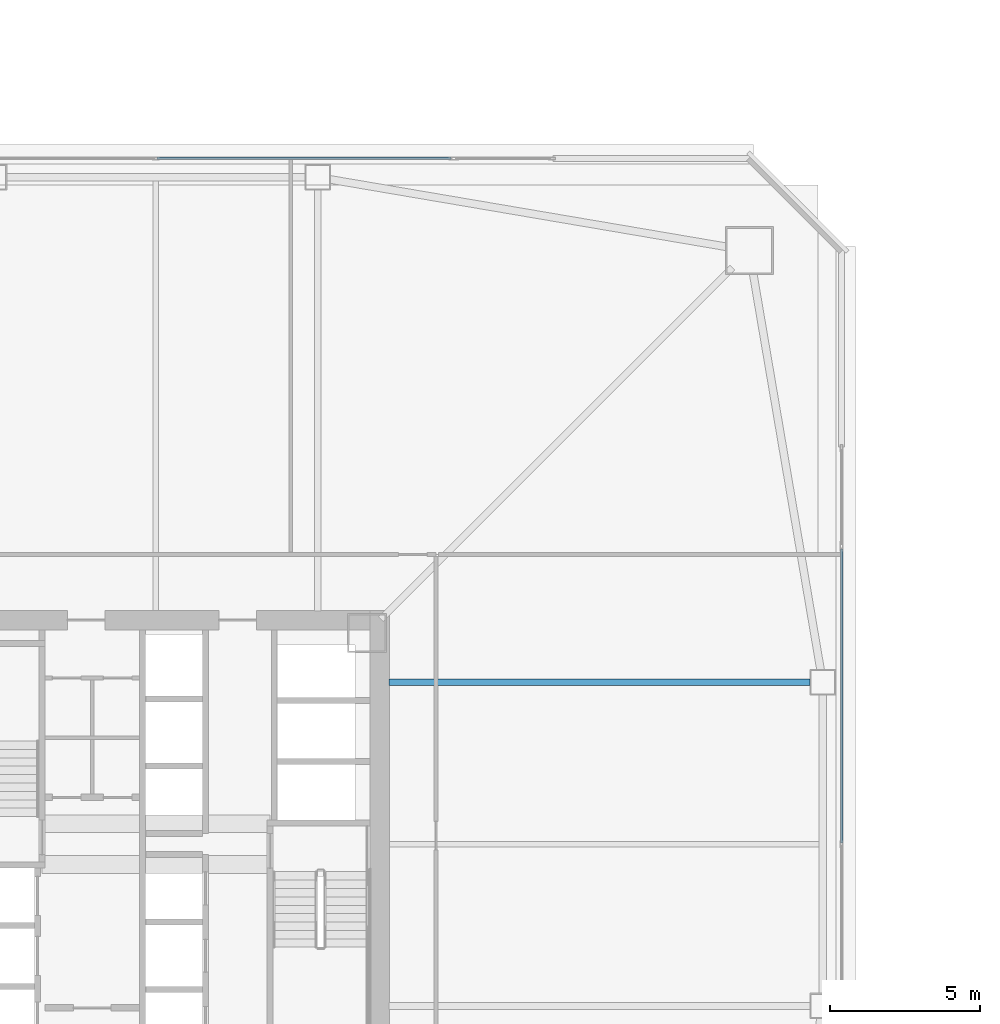
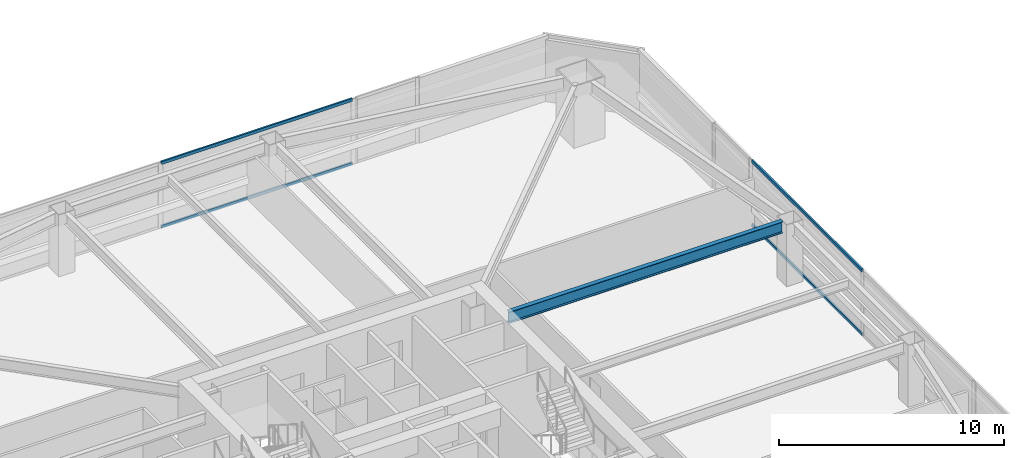
# One storey, part 16 of 46: 4 members, 1 beam, 2 elements without a shape of their own.
"""IFC4 building model written with IfcOpenShell, lengths in metres."""

from ifc_helpers import new_model, si_unit, direction, frame, origin, origin_2d, place, context, subcontext, project, spatial, hollow_rectangle, i_section, extrude, material, material_profile, profile_set, type_object, element, aggregate, save


model = new_model("IFC4")

# Units and contexts
model_context = context("Model", 3, precision=1e-05, world=origin(), true_north=direction((0.0, 1.0)))
body_context = subcontext(model_context, "Body", "Model", "MODEL_VIEW")
ifc_project = project(units=[si_unit("LENGTHUNIT", "METRE"), si_unit("AREAUNIT", "SQUARE_METRE"), si_unit("VOLUMEUNIT", "CUBIC_METRE"), si_unit("PLANEANGLEUNIT", "RADIAN"), si_unit("MASSUNIT", "GRAM", prefix="KILO")], contexts=[model_context])

# Site, building, storey
site_placement = place(None, origin())
site = spatial("IfcSite", under=ifc_project, at=site_placement, CompositionType="ELEMENT")
building_placement = place(site_placement, origin())
building = spatial("IfcBuilding", under=site, at=building_placement, Name="Tashvorn Skyway Center", CompositionType="ELEMENT")
storey_placement = place(building_placement, frame((0.0, 0.0, 60.10009765625)))
storey = spatial("IfcBuildingStorey", under=building, at=storey_placement, Name="L15", CompositionType="ELEMENT", Elevation=60.10009765625)

# Beam
ifc_material_1 = material(Name="Steel ASTM A992 Grade 50", Category="steel")
ifc_material_profile_1 = material_profile(ifc_material_1, i_section(OverallWidth=0.22998046875, OverallDepth=0.616943359375, WebThickness=0.01318359375, FlangeThickness=0.022216796875, at=origin_2d()), Name="W24X94")
ifc_profile_set_1 = profile_set([ifc_material_profile_1], Name="Steel ASTM A992 Grade 50")
beam_type = type_object("IfcBeamType", Name="BM-BEAM-W24X94", PredefinedType="BEAM", material=ifc_profile_set_1)
beam_placement = place(storey_placement, frame((63.830078125, 37.39990234375, 3.04150390625), z_axis=(-1.0, 0.0, 0.0), x_axis=(0.0, -1.0, 0.0)))
element("IfcBeam", 1, at=beam_placement, inside=storey, type_object=beam_type, Name="Tower 1 L15 Primary Floor Girder FC-E2", PredefinedType="BEAM", context=body_context, shape_type="SweptSolid", body=[
    extrude(i_section(OverallWidth=0.22998046875, OverallDepth=0.616943359375, WebThickness=0.01318359375, FlangeThickness=0.022216796875, at=origin_2d()), origin(), (0.0, 0.0, 1.0), 14.050048828125),
])

# Curtain wall, members
ifc_material_2 = material(Name="Thermally broken bronze-anodized aluminium 6063-T6", Category="aluminium")
curtain_wall_type = type_object("IfcCurtainWallType", Name="CW-CW-Z1", PredefinedType="NOTDEFINED", material=ifc_material_2)
curtain_wall_1_placement = place(storey_placement, origin())
curtain_wall_1 = element("IfcCurtainWall", 2, at=curtain_wall_1_placement, inside=storey, type_object=curtain_wall_type, Name="Tower 1 L15 North Unitised Curtain Wall Glazing Group 2", PredefinedType="NOTDEFINED")
ifc_material_profile_2 = material_profile(ifc_material_2, hollow_rectangle(XDim=0.0849609375, YDim=0.1650390625, WallThickness=0.0048828125, at=origin_2d()), Name="ALU-TRAN-85x165")
ifc_profile_set_2 = profile_set([ifc_material_profile_2], Name="Thermally broken bronze-anodized aluminium 6063-T6")
member_type = type_object("IfcMemberType", Name="CWT-CW-Z1", PredefinedType="USERDEFINED", material=ifc_profile_set_2)
member_1_placement = place(storey_placement, frame((42.04248046875, 54.8798828125, 0.04248046875), z_axis=(1.0, 0.0, 0.0), x_axis=(0.0, 1.0, 0.0)))
member_1 = element("IfcMember", 3, at=member_1_placement, type_object=member_type, Name="CW-Z1 transom 2.1", ObjectType="TRANSOM", PredefinedType="USERDEFINED", context=body_context, shape_type="SweptSolid", body=[
    extrude(hollow_rectangle(XDim=0.0849609375, YDim=0.1650390625, WallThickness=0.0048828125, at=origin_2d()), origin(), (0.0, 0.0, 1.0), 9.8125),
])
member_2_placement = place(storey_placement, frame((42.04248046875, 54.8798828125, 3.50732421875), z_axis=(1.0, 0.0, 0.0), x_axis=(0.0, 1.0, 0.0)))
member_2 = element("IfcMember", 4, at=member_2_placement, type_object=member_type, Name="CW-Z1 transom 2.2", ObjectType="TRANSOM", PredefinedType="USERDEFINED", context=body_context, shape_type="SweptSolid", body=[
    extrude(hollow_rectangle(XDim=0.0849609375, YDim=0.1650390625, WallThickness=0.0048828125, at=origin_2d()), origin(), (0.0, 0.0, 1.0), 9.8125),
])
aggregate(curtain_wall_1, [member_1, member_2])

curtain_wall_2_placement = place(storey_placement, origin())
curtain_wall_2 = element("IfcCurtainWall", 5, at=curtain_wall_2_placement, inside=storey, type_object=curtain_wall_type, Name="Tower 1 L15 East Unitised Curtain Wall Glazing Group 2", PredefinedType="NOTDEFINED")
member_3_placement = place(storey_placement, frame((64.8798828125, 41.85498046875, 0.04248046875), z_axis=(0.0, -1.0, 0.0), x_axis=(1.0, 0.0, 0.0)))
member_3 = element("IfcMember", 6, at=member_3_placement, type_object=member_type, Name="CW-Z1 transom 1.1", ObjectType="TRANSOM", PredefinedType="USERDEFINED", context=body_context, shape_type="SweptSolid", body=[
    extrude(hollow_rectangle(XDim=0.0849609375, YDim=0.1650390625, WallThickness=0.0048828125, at=origin_2d()), origin(), (0.0, 0.0, 1.0), 9.8125),
])
member_4_placement = place(storey_placement, frame((64.8798828125, 41.85498046875, 3.50732421875), z_axis=(0.0, -1.0, 0.0), x_axis=(1.0, 0.0, 0.0)))
member_4 = element("IfcMember", 7, at=member_4_placement, type_object=member_type, Name="CW-Z1 transom 1.2", ObjectType="TRANSOM", PredefinedType="USERDEFINED", context=body_context, shape_type="SweptSolid", body=[
    extrude(hollow_rectangle(XDim=0.0849609375, YDim=0.1650390625, WallThickness=0.0048828125, at=origin_2d()), origin(), (0.0, 0.0, 1.0), 9.8125),
])
aggregate(curtain_wall_2, [member_3, member_4])

save(model, "model.ifc")
